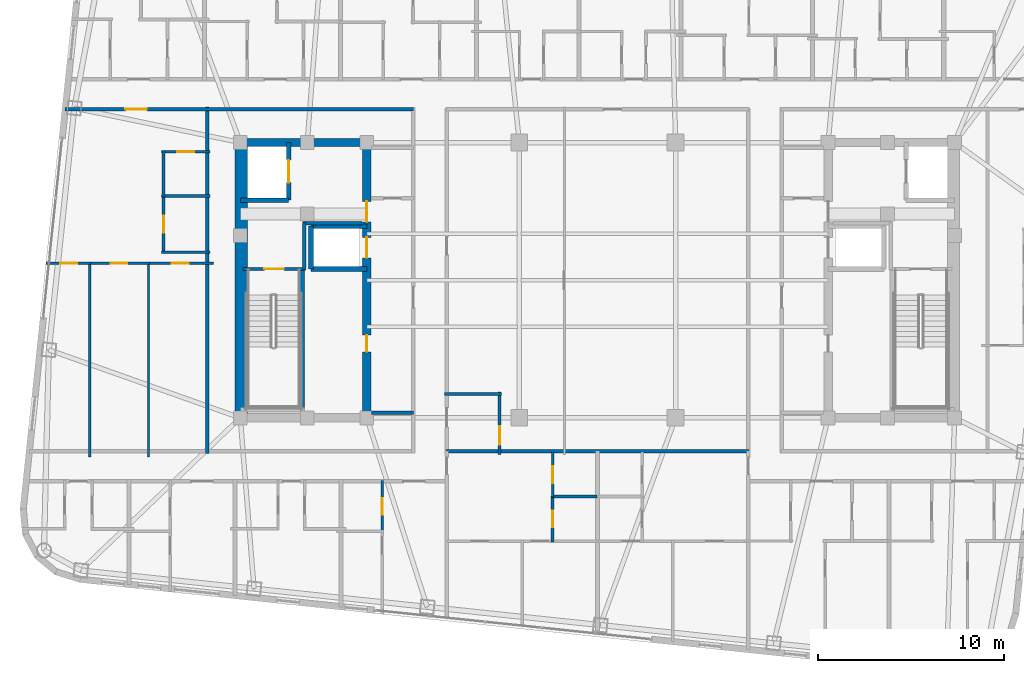
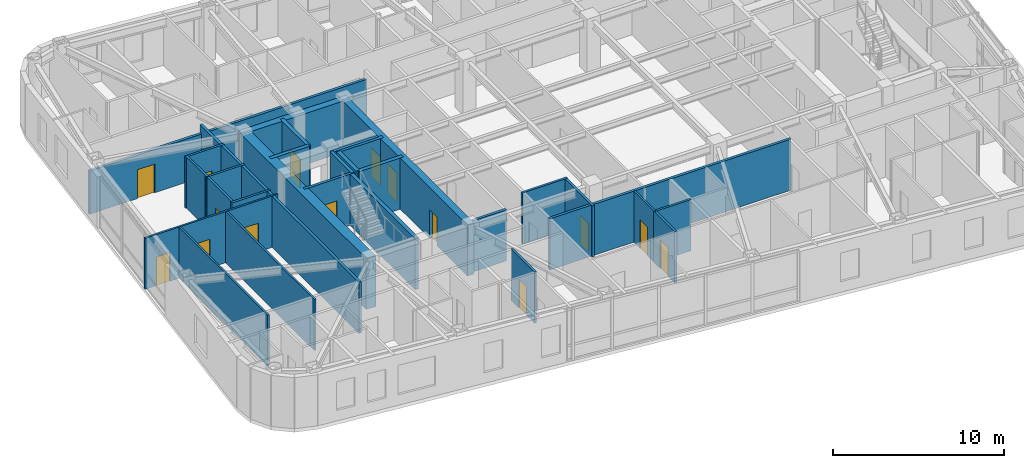
# One storey, part 16 of 23: 32 walls, 15 doors, 15 openings.
"""IFC4 building model written with IfcOpenShell, lengths in metres."""

import ifcopenshell
import ifcopenshell.guid

model = None  # the IFC model being written
_history = None  # IfcOwnerHistory: only IFC2X3 demands one
_inside = {}  # id of a spatial element -> (the spatial element, [elements in it])
_under = {}  # id of a project, library or spatial element -> (it, [spatial elements below it])
_declared = {}  # id of a project -> (the project, [libraries it declares])
_typed = {}  # id of a type object -> (the type object, [elements of that type])
_made_of = {}  # id of a material, layer set ... -> (it, [elements and type objects made of it])


def new_model(schema):
    """Start an empty IFC model of exactly this schema.

    Asked for "IFC4X3", IfcOpenShell would pick the latest addendum, in which some entities
    have other attributes; the version numbers below select the first issue.
    IFC2X3 requires an IfcOwnerHistory on every rooted entity: one is made here for all.
    """
    global model, _history
    if schema == "IFC4X3":
        model = ifcopenshell.file(schema_version=(4, 3, 0, 0))
    else:
        model = ifcopenshell.file(schema=schema)
    _inside.clear()
    _under.clear()
    _declared.clear()
    _typed.clear()
    _made_of.clear()
    _history = None
    if model.schema == "IFC2X3":
        org = make("IfcOrganization", Name="unknown")
        user = make(
            "IfcPersonAndOrganization",
            ThePerson=make("IfcPerson", FamilyName="unknown"),
            TheOrganization=org,
        )
        app = make(
            "IfcApplication",
            ApplicationDeveloper=org,
            Version="unknown",
            ApplicationFullName="unknown",
            ApplicationIdentifier="unknown",
        )
        _history = make(
            "IfcOwnerHistory",
            OwningUser=user,
            OwningApplication=app,
            ChangeAction="ADDED",
            CreationDate=0,
        )
    return model


def make(cls, **values):
    """One entity of the class cls with the attributes given. An attribute that is None is left unset."""
    return model.create_entity(
        cls, **{name: value for name, value in values.items() if value is not None}
    )


def rooted(cls, **values):
    """An entity with a GlobalId (a new one), such as an element, a storey or a relation."""
    return make(cls, GlobalId=ifcopenshell.guid.new(), OwnerHistory=_history, **values)


def si_unit(unit_type, name, prefix=None):
    """IfcSIUnit, for example si_unit("LENGTHUNIT", "METRE", prefix="MILLI")."""
    return make("IfcSIUnit", UnitType=unit_type, Prefix=prefix, Name=name)


def assignment(units):
    """IfcUnitAssignment: the units of a project."""
    return None if units is None else make("IfcUnitAssignment", Units=units)


def point(xyz):
    """IfcCartesianPoint."""
    return None if xyz is None else make("IfcCartesianPoint", Coordinates=xyz)


def direction(xyz):
    """IfcDirection."""
    return None if xyz is None else make("IfcDirection", DirectionRatios=xyz)


def frame(location, z_axis=None, x_axis=None):
    """IfcAxis2Placement3D, a coordinate frame: its origin and axes. An axis left out is left unset."""
    return make(
        "IfcAxis2Placement3D",
        Location=point(location),
        Axis=direction(z_axis),
        RefDirection=direction(x_axis),
    )


def frame_2d(location, x_axis=None):
    """IfcAxis2Placement2D, a coordinate frame in the plane: its origin and x axis."""
    return make(
        "IfcAxis2Placement2D", Location=point(location), RefDirection=direction(x_axis)
    )


def origin():
    """The frame at (0, 0, 0) with its axes left unset."""
    return frame((0.0, 0.0, 0.0))


def place(relative_to, where):
    """IfcLocalPlacement: puts the frame where relative to a parent placement (None: the world)."""
    return make(
        "IfcLocalPlacement", PlacementRelTo=relative_to, RelativePlacement=where
    )


def context(
    kind, dimensions, precision=None, world=None, true_north=None, identifier=None
):
    """IfcGeometricRepresentationContext, for example the 3D "Model" context."""
    return make(
        "IfcGeometricRepresentationContext",
        ContextIdentifier=identifier,
        ContextType=kind,
        CoordinateSpaceDimension=dimensions,
        Precision=precision,
        WorldCoordinateSystem=world,
        TrueNorth=true_north,
    )


def subcontext(parent, identifier, kind, view, scale=None):
    """IfcGeometricRepresentationSubContext, for example "Body" below "Model"."""
    return make(
        "IfcGeometricRepresentationSubContext",
        ContextIdentifier=identifier,
        ContextType=kind,
        ParentContext=parent,
        TargetScale=scale,
        TargetView=view,
    )


def project(units=None, contexts=None):
    """IfcProject with its units and contexts."""
    return rooted(
        "IfcProject",
        Name="project",
        RepresentationContexts=contexts,
        UnitsInContext=assignment(units),
    )


def spatial(cls, under=None, at=None, **own):
    """A site, building, storey or space (cls), placed at a placement, below another one or the project."""
    s = rooted(cls, ObjectPlacement=at, **own)
    if under is not None:
        _under.setdefault(under.id(), (under, []))[1].append(s)
    return s


def profile(cls, at=None, kind="AREA", **sizes):
    """A parametric profile (cls). Its sizes go by their IFC names, for example OverallWidth=200.0."""
    return make(cls, ProfileType=kind, Position=at, **sizes)


def rectangle(**sizes):
    """IfcRectangleProfileDef."""
    return profile("IfcRectangleProfileDef", **sizes)


def extrude(swept, where, along, depth):
    """IfcExtrudedAreaSolid: the profile swept, set in the frame where, extruded along a direction by depth."""
    return make(
        "IfcExtrudedAreaSolid",
        SweptArea=swept,
        Position=where,
        ExtrudedDirection=direction(along),
        Depth=depth,
    )


def shape(context_of_items, identifier, shape_type, items):
    """IfcShapeRepresentation: the items that make up one representation, for example the "Body"."""
    return make(
        "IfcShapeRepresentation",
        ContextOfItems=context_of_items,
        RepresentationIdentifier=identifier,
        RepresentationType=shape_type,
        Items=items,
    )


def material(Name=None, Category=None):
    """IfcMaterial."""
    return make("IfcMaterial", Name=Name, Category=Category)


def layer(
    of_material, thickness, ventilated=None, Name=None, Category=None, Priority=None
):
    """IfcMaterialLayer: one layer of a wall or slab, of a material (None: an air gap)."""
    return make(
        "IfcMaterialLayer",
        Material=of_material,
        LayerThickness=thickness,
        IsVentilated=ventilated,
        Name=Name,
        Category=Category,
        Priority=Priority,
    )


def layer_set(layers, Name=None):
    """IfcMaterialLayerSet."""
    return make("IfcMaterialLayerSet", MaterialLayers=layers, LayerSetName=Name)


def made_of(thing, what):
    """Note that an element or type object is made of a material, layer set ...; save() writes the relation."""
    if what is not None:
        _made_of.setdefault(what.id(), (what, []))[1].append(thing)
    return thing


def type_object(cls, material=None, **own):
    """A type object (cls), such as IfcWallType, which elements share."""
    return made_of(rooted(cls, **own), material)


def element(
    cls,
    number,
    at=None,
    inside=None,
    cuts=None,
    type_object=None,
    material=None,
    context=None,
    identifier="Body",
    shape_type=None,
    held_by="IfcProductDefinitionShape",
    body=None,
    shapes=None,
    **own,
):
    """One element of the class cls, such as IfcWall. Its Tag is "e" and its number.

    at: its placement. inside: the storey or other place that contains it. cuts: it is an
    opening in that element (IfcRelVoidsElement). A single representation is given by context,
    identifier, shape_type and body (its items); several are given by shapes. held_by: the class
    of the entity that holds the representations. save() writes the other relations.
    """
    e = rooted(cls, Tag="e%d" % number, ObjectPlacement=at, **own)
    if body is not None:
        shapes = [shape(context, identifier, shape_type, body)]
    if shapes is not None:
        e.Representation = make(held_by, Representations=shapes)
    if inside is not None:
        _inside.setdefault(inside.id(), (inside, []))[1].append(e)
    if cuts is not None:
        rooted(
            "IfcRelVoidsElement", RelatingBuildingElement=cuts, RelatedOpeningElement=e
        )
    if type_object is not None:
        _typed.setdefault(type_object.id(), (type_object, []))[1].append(e)
    return made_of(e, material)


def fill(opening, filler):
    """IfcRelFillsElement: the door or window that sits in an opening."""
    return rooted(
        "IfcRelFillsElement",
        RelatingOpeningElement=opening,
        RelatedBuildingElement=filler,
    )


def aggregate(whole, parts):
    """IfcRelAggregates: a whole, such as a stair, and the parts it consists of."""
    return rooted("IfcRelAggregates", RelatingObject=whole, RelatedObjects=parts)


def save(model, path):
    """Write the relations noted so far, then the file.

    IfcRelAggregates (storeys below a building ...), IfcRelContainedInSpatialStructure (elements
    in a storey), IfcRelDefinesByType, IfcRelAssociatesMaterial and IfcRelDeclares: one each for
    every whole, place, type object, material and project.
    """
    for whole, parts in _under.values():
        aggregate(whole, parts)
    for where, things in _inside.values():
        rooted(
            "IfcRelContainedInSpatialStructure",
            RelatedElements=things,
            RelatingStructure=where,
        )
    for kind, things in _typed.values():
        rooted("IfcRelDefinesByType", RelatedObjects=things, RelatingType=kind)
    for what, things in _made_of.values():
        rooted("IfcRelAssociatesMaterial", RelatedObjects=things, RelatingMaterial=what)
    for by, libraries in _declared.values():
        rooted("IfcRelDeclares", RelatingContext=by, RelatedDefinitions=libraries)
    model.write(path)


model = new_model("IFC4")

# Units and contexts
model_context = context("Model", 3, precision=1e-05, world=origin(), true_north=direction((0.0, 1.0)))
body_context = subcontext(model_context, "Body", "Model", "MODEL_VIEW")
ifc_project = project(units=[si_unit("LENGTHUNIT", "METRE"), si_unit("AREAUNIT", "SQUARE_METRE"), si_unit("VOLUMEUNIT", "CUBIC_METRE"), si_unit("PLANEANGLEUNIT", "RADIAN"), si_unit("MASSUNIT", "GRAM", prefix="KILO")], contexts=[model_context])

# Site, building, storey
site_placement = place(None, origin())
site = spatial("IfcSite", under=ifc_project, at=site_placement, CompositionType="ELEMENT")
building_placement = place(site_placement, origin())
building = spatial("IfcBuilding", under=site, at=building_placement, Name="Voryun Gate Residences", CompositionType="ELEMENT")
storey_placement = place(building_placement, frame((0.0, 0.0, 275.60009765625)))
storey = spatial("IfcBuildingStorey", under=building, at=storey_placement, Name="L68", CompositionType="ELEMENT", Elevation=275.60009765625)

# Wall
ifc_material_1 = material(Name="Concrete C50/60", Category="concrete")
ifc_layer_1 = layer(ifc_material_1, 0.449951171875, Name="CW_CORE_450")
ifc_layer_set_1 = layer_set([ifc_layer_1], Name="Concrete C50/60")
wall_type_1 = type_object("IfcWallType", Name="CW_CORE_450", PredefinedType="SHEAR", material=ifc_layer_set_1)
wall_1_placement = place(storey_placement, frame((-19.425048828125, 7.39990234375, 0.0), z_axis=(0.0, 0.0, 1.0), x_axis=(1.0, 0.0, 0.0)))
element("IfcWall", 1, at=wall_1_placement, inside=storey, type_object=wall_type_1, Name="L68 Core shear wall CW-L68-WN", PredefinedType="SHEAR", context=body_context, shape_type="SweptSolid", body=[
    extrude(rectangle(XDim=7.25, YDim=0.449951171875, at=frame_2d((3.625, 0.0))), origin(), (0.0, 0.0, 1.0), 3.64990234375),
])

# Wall, openings, doors
wall_2_placement = place(storey_placement, frame((-12.39990234375, -7.39990234375, 0.0), z_axis=(0.0, 0.0, 1.0), x_axis=(0.0, 1.0, 0.0)))
wall_2 = element("IfcWall", 2, at=wall_2_placement, inside=storey, type_object=wall_type_1, Name="L68 Core shear wall CW-L68-WE", PredefinedType="SHEAR", context=body_context, shape_type="SweptSolid", body=[
    extrude(rectangle(XDim=14.7998046875, YDim=0.449951171875, at=frame_2d((7.39990234375, 0.0))), origin(), (0.0, 0.0, 1.0), 3.64990234375),
])
opening_1_placement = place(wall_2_placement, frame((8.60009765625, 0.0, 0.0)))
opening_1 = element("IfcOpeningElement", 3, at=opening_1_placement, cuts=wall_2, Name="Opening LD2", PredefinedType="OPENING", context=body_context, shape_type="SweptSolid", body=[
    extrude(rectangle(XDim=1.10009765625, YDim=2.050048828125, at=frame_2d((0.550048828125, 1.02490234375))), frame((0.0, 0.235107421875, 0.0), z_axis=(0.0, -1.0, 0.0), x_axis=(1.0, 0.0, 0.0)), (0.0, 0.0, 1.0), 0.469970703125),
])
opening_2_placement = place(wall_2_placement, frame((10.530029296875, 0.0, 0.0)))
opening_2 = element("IfcOpeningElement", 4, at=opening_2_placement, cuts=wall_2, Name="Opening D-FD60-2", PredefinedType="OPENING", context=body_context, shape_type="SweptSolid", body=[
    extrude(rectangle(XDim=1.10009765625, YDim=2.050048828125, at=frame_2d((0.550048828125, 1.02490234375))), frame((0.0, 0.235107421875, 0.0), z_axis=(0.0, -1.0, 0.0), x_axis=(1.0, 0.0, 0.0)), (0.0, 0.0, 1.0), 0.469970703125),
])
opening_3_placement = place(wall_2_placement, frame((3.550048828125, 0.0, 0.0)))
opening_3 = element("IfcOpeningElement", 5, at=opening_3_placement, cuts=wall_2, Name="Opening D-FD60-4", PredefinedType="OPENING", context=body_context, shape_type="SweptSolid", body=[
    extrude(rectangle(XDim=0.89990234375, YDim=2.050048828125, at=frame_2d((0.449951171875, 1.02490234375))), frame((0.0, 0.235107421875, 0.0), z_axis=(0.0, -1.0, 0.0), x_axis=(1.0, 0.0, 0.0)), (0.0, 0.0, 1.0), 0.469970703125),
])
ifc_material_2 = material(Name="Painted steel fire door", Category="steel")
door_type_1 = type_object("IfcDoorType", Name="DR_FD60_FFLOB_1100", OperationType="NOTDEFINED", PredefinedType="DOOR", material=ifc_material_2)
door_1_placement = place(opening_2_placement, origin())
door_1 = element("IfcDoor", 6, at=door_1_placement, inside=storey, type_object=door_type_1, Name="Door DR-L68-CLOB-W", OperationType="SINGLE_SWING_LEFT", OverallHeight=2.050048828125, OverallWidth=1.10009765625, PredefinedType="DOOR", context=body_context, shape_type="SweptSolid", body=[
    extrude(rectangle(XDim=1.10009765625, YDim=2.050048828125, at=frame_2d((0.550048828125, 1.02490234375))), frame((0.0, 0.02490234375, 0.0), z_axis=(0.0, -1.0, 0.0), x_axis=(1.0, 0.0, 0.0)), (0.0, 0.0, 1.0), 0.050048828125),
])
fill(opening_2, door_1)
ifc_material_3 = material(Name="Painted steel fire door", Category="steel")
door_type_2 = type_object("IfcDoorType", Name="DR_FD60_RISER_900", OperationType="NOTDEFINED", PredefinedType="DOOR", material=ifc_material_3)
door_2_placement = place(opening_3_placement, origin())
door_2 = element("IfcDoor", 7, at=door_2_placement, inside=storey, type_object=door_type_2, Name="Door DR-L68-RECW-HI", OperationType="SINGLE_SWING_LEFT", OverallHeight=2.050048828125, OverallWidth=0.89990234375, PredefinedType="DOOR", context=body_context, shape_type="SweptSolid", body=[
    extrude(rectangle(XDim=0.89990234375, YDim=2.050048828125, at=frame_2d((0.449951171875, 1.02490234375))), frame((0.0, 0.02490234375, 0.0), z_axis=(0.0, -1.0, 0.0), x_axis=(1.0, 0.0, 0.0)), (0.0, 0.0, 1.0), 0.050048828125),
])
fill(opening_3, door_2)
ifc_material_4 = material(Name="Anodised aluminium", Category="aluminium")
door_type_3 = type_object("IfcDoorType", Name="DR_LD_PASS_1100", OperationType="NOTDEFINED", PredefinedType="DOOR", material=ifc_material_4)
door_3_placement = place(opening_1_placement, origin())
door_3 = element("IfcDoor", 8, at=door_3_placement, inside=storey, type_object=door_type_3, Name="Lift EL-P7 sliding landing door L68", OperationType="SLIDING_TO_LEFT", OverallHeight=2.050048828125, OverallWidth=1.10009765625, PredefinedType="DOOR", context=body_context, shape_type="SweptSolid", body=[
    extrude(rectangle(XDim=1.10009765625, YDim=2.050048828125, at=frame_2d((0.550048828125, 1.02490234375))), frame((0.0, 0.02490234375, 0.0), z_axis=(0.0, -1.0, 0.0), x_axis=(1.0, 0.0, 0.0)), (0.0, 0.0, 1.0), 0.050048828125),
])
fill(opening_1, door_3)

# Wall
ifc_material_5 = material(Name="Concrete C60/75", Category="concrete")
ifc_layer_2 = layer(ifc_material_5, 0.64990234375, Name="CW_CORE_650")
ifc_layer_set_2 = layer_set([ifc_layer_2], Name="Concrete C60/75")
wall_type_2 = type_object("IfcWallType", Name="CW_CORE_650", PredefinedType="SHEAR", material=ifc_layer_set_2)
wall_3_placement = place(storey_placement, frame((-19.14501953125, -7.39990234375, 0.0), z_axis=(0.0, 0.0, 1.0), x_axis=(0.0, 1.0, 0.0)))
element("IfcWall", 9, at=wall_3_placement, inside=storey, type_object=wall_type_2, Name="L68 Core shear wall CW-L68-WW", PredefinedType="SHEAR", context=body_context, shape_type="SweptSolid", body=[
    extrude(rectangle(XDim=14.7998046875, YDim=0.64990234375, at=frame_2d((7.39990234375, 0.0))), origin(), (0.0, 0.0, 1.0), 3.64990234375),
])

# Wall, opening, door
ifc_material_6 = material(Name="Gypsum acoustic fireboard")
ifc_layer_3 = layer(ifc_material_6, 0.179931640625, Name="W_CORR_RATED_180")
ifc_layer_set_3 = layer_set([ifc_layer_3], Name="Gypsum acoustic fireboard")
wall_type_3 = type_object("IfcWallType", Name="W_CORR_RATED_180", PredefinedType="PARTITIONING", material=ifc_layer_set_3)
wall_4_placement = place(storey_placement, frame((-19.06005859375, 0.60009765625, 0.0), z_axis=(0.0, 0.0, 1.0), x_axis=(1.0, 0.0, 0.0)))
wall_4 = element("IfcWall", 10, at=wall_4_placement, inside=storey, type_object=wall_type_3, Name="Partition wall WP-L68-STV-W", PredefinedType="PARTITIONING", context=body_context, shape_type="SweptSolid", body=[
    extrude(rectangle(XDim=3.360107421875, YDim=0.179931640625, at=frame_2d((1.68017578125, 0.0))), origin(), (0.0, 0.0, 1.0), 3.64990234375),
])
opening_4_placement = place(wall_4_placement, frame((1.155029296875, 0.0, 0.0)))
opening_4 = element("IfcOpeningElement", 11, at=opening_4_placement, cuts=wall_4, Name="Opening D-FD60-1", PredefinedType="OPENING", context=body_context, shape_type="SweptSolid", body=[
    extrude(rectangle(XDim=1.050048828125, YDim=2.050048828125, at=frame_2d((0.52490234375, 1.02490234375))), frame((0.0, 0.099853515625, 0.0), z_axis=(0.0, -1.0, 0.0), x_axis=(1.0, 0.0, 0.0)), (0.0, 0.0, 1.0), 0.199951171875),
])
ifc_material_7 = material(Name="Painted steel fire door", Category="steel")
door_type_4 = type_object("IfcDoorType", Name="DR_FD60_STAIR_1050", OperationType="NOTDEFINED", PredefinedType="DOOR", material=ifc_material_7)
door_4_placement = place(opening_4_placement, origin())
door_4 = element("IfcDoor", 12, at=door_4_placement, inside=storey, type_object=door_type_4, Name="Door DR-L68-ST-W", OperationType="SINGLE_SWING_LEFT", OverallHeight=2.050048828125, OverallWidth=1.050048828125, PredefinedType="DOOR", context=body_context, shape_type="SweptSolid", body=[
    extrude(rectangle(XDim=1.050048828125, YDim=2.050048828125, at=frame_2d((0.52490234375, 1.02490234375))), frame((0.0, 0.02490234375, 0.0), z_axis=(0.0, -1.0, 0.0), x_axis=(1.0, 0.0, 0.0)), (0.0, 0.0, 1.0), 0.050048828125),
])
fill(opening_4, door_4)

# Wall
wall_5_placement = place(storey_placement, frame((-12.14990234375, -7.1201171875, 0.0), z_axis=(0.0, 0.0, 1.0), x_axis=(1.0, 0.0, 0.0)))
element("IfcWall", 13, at=wall_5_placement, inside=storey, type_object=wall_type_3, Name="Partition wall WP-L68-PLBS-W", PredefinedType="PARTITIONING", context=body_context, shape_type="SweptSolid", body=[
    extrude(rectangle(XDim=2.27001953125, YDim=0.179931640625, at=frame_2d((1.135009765625, 0.0))), origin(), (0.0, 0.0, 1.0), 3.64990234375),
])

# Wall, opening, door
wall_6_placement = place(storey_placement, frame((-28.61181640625, 9.18994140625, 0.0), z_axis=(0.0, 0.0, 1.0), x_axis=(1.0, 0.0, 0.0)))
wall_6 = element("IfcWall", 14, at=wall_6_placement, inside=storey, type_object=wall_type_3, Name="Partition wall WP-L68-CWING-WN", PredefinedType="PARTITIONING", context=body_context, shape_type="SweptSolid", body=[
    extrude(rectangle(XDim=18.73193359375, YDim=0.179931640625, at=frame_2d((9.365966796875, 0.0))), origin(), (0.0, 0.0, 1.0), 3.08984375),
])
opening_5_placement = place(wall_6_placement, frame((3.24072265625, 0.0, 0.0)))
opening_5 = element("IfcOpeningElement", 15, at=opening_5_placement, cuts=wall_6, Name="Opening D-UNIT-1", PredefinedType="OPENING", context=body_context, shape_type="SweptSolid", body=[
    extrude(rectangle(XDim=1.14990234375, YDim=2.050048828125, at=frame_2d((0.574951171875, 1.02490234375))), frame((0.0, 0.099853515625, 0.0), z_axis=(0.0, -1.0, 0.0), x_axis=(1.0, 0.0, 0.0)), (0.0, 0.0, 1.0), 0.199951171875),
])
ifc_material_8 = material(Name="Armoured timber-clad fire door", Category="wood")
door_type_5 = type_object("IfcDoorType", Name="DR_UNIT_ENTRY_1150", OperationType="NOTDEFINED", PredefinedType="DOOR", material=ifc_material_8)
door_5_placement = place(opening_5_placement, origin())
door_5 = element("IfcDoor", 16, at=door_5_placement, inside=storey, type_object=door_type_5, Name="Door DR-L68-WE1N", OperationType="SINGLE_SWING_LEFT", OverallHeight=2.050048828125, OverallWidth=1.14990234375, PredefinedType="DOOR", context=body_context, shape_type="SweptSolid", body=[
    extrude(rectangle(XDim=1.14990234375, YDim=2.050048828125, at=frame_2d((0.574951171875, 1.02490234375))), frame((0.0, 0.02490234375, 0.0), z_axis=(0.0, -1.0, 0.0), x_axis=(1.0, 0.0, 0.0)), (0.0, 0.0, 1.0), 0.050048828125),
])
fill(opening_5, door_5)

# Walls
wall_7_placement = place(storey_placement, frame((-8.14990234375, -9.18994140625, 0.0), z_axis=(0.0, 0.0, 1.0), x_axis=(1.0, 0.0, 0.0)))
element("IfcWall", 17, at=wall_7_placement, inside=storey, type_object=wall_type_3, Name="Partition wall WP-L68-Z3S", PredefinedType="PARTITIONING", context=body_context, shape_type="SweptSolid", body=[
    extrude(rectangle(XDim=16.2998046875, YDim=0.179931640625, at=frame_2d((8.14990234375, 0.0))), origin(), (0.0, 0.0, 1.0), 3.64990234375),
])
wall_8_placement = place(storey_placement, frame((-20.969970703125, -9.31005859375, 0.0), z_axis=(0.0, 0.0, 1.0), x_axis=(0.0, 1.0, 0.0)))
element("IfcWall", 18, at=wall_8_placement, inside=storey, type_object=wall_type_3, Name="Partition wall WP-L68-WCOR", PredefinedType="PARTITIONING", context=body_context, shape_type="SweptSolid", body=[
    extrude(rectangle(XDim=18.6201171875, YDim=0.179931640625, at=frame_2d((9.31005859375, 0.0))), origin(), (0.0, 0.0, 1.0), 3.64990234375),
])
ifc_material_9 = material(Name="Concrete C40/50", Category="concrete")
ifc_layer_4 = layer(ifc_material_9, 0.199951171875, Name="W_FF_LOBBY_200")
ifc_layer_set_4 = layer_set([ifc_layer_4], Name="Concrete C40/50")
wall_type_4 = type_object("IfcWallType", Name="W_FF_LOBBY_200", PredefinedType="PARTITIONING", material=ifc_layer_set_4)
wall_9_placement = place(storey_placement, frame((-15.760009765625, 0.580078125, 0.0), z_axis=(0.0, 0.0, 1.0), x_axis=(0.0, 1.0, 0.0)))
element("IfcWall", 19, at=wall_9_placement, inside=storey, type_object=wall_type_4, Name="Partition wall WP-L68-FFP0-W", PredefinedType="PARTITIONING", context=body_context, shape_type="SweptSolid", body=[
    extrude(rectangle(XDim=2.52001953125, YDim=0.199951171875, at=frame_2d((1.260009765625, 0.0))), origin(), (0.0, 0.0, 1.0), 3.64990234375),
])
wall_10_placement = place(storey_placement, frame((-15.820068359375, 3.06005859375, 0.0), z_axis=(0.0, 0.0, 1.0), x_axis=(1.0, 0.0, 0.0)))
element("IfcWall", 20, at=wall_10_placement, inside=storey, type_object=wall_type_4, Name="Partition wall WP-L68-FFPS-W", PredefinedType="PARTITIONING", context=body_context, shape_type="SweptSolid", body=[
    extrude(rectangle(XDim=3.16015625, YDim=0.199951171875, at=frame_2d((1.580078125, 0.0))), origin(), (0.0, 0.0, 1.0), 3.64990234375),
])
ifc_material_10 = material(Name="Concrete C50/60", Category="concrete")
ifc_layer_5 = layer(ifc_material_10, 0.25, Name="W_SHAFT_RC250")
ifc_layer_set_5 = layer_set([ifc_layer_5], Name="Concrete C50/60")
wall_type_5 = type_object("IfcWallType", Name="W_SHAFT_RC250", PredefinedType="SOLIDWALL", material=ifc_layer_set_5)
wall_11_placement = place(storey_placement, frame((-15.860107421875, -7.0849609375, 0.0), z_axis=(0.0, 0.0, 1.0), x_axis=(0.0, 1.0, 0.0)))
element("IfcWall", 21, at=wall_11_placement, inside=storey, type_object=wall_type_5, Name="L68 Stair shaft structural wall W-STR", PredefinedType="SOLIDWALL", context=body_context, shape_type="SweptSolid", body=[
    extrude(rectangle(XDim=7.68505859375, YDim=0.25, at=frame_2d((3.842529296875, 0.0))), origin(), (0.0, 0.0, 1.0), 3.64990234375),
])
wall_12_placement = place(storey_placement, frame((-19.199951171875, 4.300048828125, 0.0), z_axis=(0.0, 0.0, 1.0), x_axis=(1.0, 0.0, 0.0)))
element("IfcWall", 22, at=wall_12_placement, inside=storey, type_object=wall_type_5, Name="Lift shaft wall WSH-L68-EL-FF-W1-S", PredefinedType="SOLIDWALL", context=body_context, shape_type="SweptSolid", body=[
    extrude(rectangle(XDim=2.599853515625, YDim=0.25, at=frame_2d((1.2998046875, 0.0))), origin(), (0.0, 0.0, 1.0), 3.64990234375),
])

# Wall, opening, door
wall_13_placement = place(storey_placement, frame((-16.60009765625, 4.300048828125, 0.0), z_axis=(0.0, 0.0, 1.0), x_axis=(0.0, 1.0, 0.0)))
wall_13 = element("IfcWall", 23, at=wall_13_placement, inside=storey, type_object=wall_type_5, Name="Lift shaft wall WSH-L68-EL-FF-W1-E", PredefinedType="SOLIDWALL", context=body_context, shape_type="SweptSolid", body=[
    extrude(rectangle(XDim=3.099853515625, YDim=0.25, at=frame_2d((1.5498046875, 0.0))), origin(), (0.0, 0.0, 1.0), 3.64990234375),
])
opening_6_placement = place(wall_13_placement, frame((0.949951171875, 0.0, 0.0)))
opening_6 = element("IfcOpeningElement", 24, at=opening_6_placement, cuts=wall_13, Name="Opening LD1", PredefinedType="OPENING", context=body_context, shape_type="SweptSolid", body=[
    extrude(rectangle(XDim=1.199951171875, YDim=2.050048828125, at=frame_2d((0.60009765625, 1.02490234375))), frame((0.0, 0.135009765625, 0.0), z_axis=(0.0, -1.0, 0.0), x_axis=(1.0, 0.0, 0.0)), (0.0, 0.0, 1.0), 0.27001953125),
])
ifc_material_11 = material(Name="Anodised aluminium", Category="aluminium")
door_type_6 = type_object("IfcDoorType", Name="DR_LD_FF_1200", OperationType="NOTDEFINED", PredefinedType="DOOR", material=ifc_material_11)
door_6_placement = place(opening_6_placement, origin())
door_6 = element("IfcDoor", 25, at=door_6_placement, inside=storey, type_object=door_type_6, Name="Lift EL-FF-W1 sliding landing door L68", OperationType="SLIDING_TO_LEFT", OverallHeight=2.050048828125, OverallWidth=1.199951171875, PredefinedType="DOOR", context=body_context, shape_type="SweptSolid", body=[
    extrude(rectangle(XDim=1.199951171875, YDim=2.050048828125, at=frame_2d((0.60009765625, 1.02490234375))), frame((0.0, 0.02490234375, 0.0), z_axis=(0.0, -1.0, 0.0), x_axis=(1.0, 0.0, 0.0)), (0.0, 0.0, 1.0), 0.050048828125),
])
fill(opening_6, door_6)

# Walls
for number, where, z_axis, x_axis, name in (
    (26, (-15.39990234375, 0.60009765625, 0.0), (0.0, 0.0, 1.0), (1.0, 0.0, 0.0), "Lift shaft wall WSH-L68-EL-P7-S"),
    (27, (-12.39990234375, 2.89990234375, 0.0), (0.0, 0.0, 1.0), (-1.0, 0.0, 0.0), "Lift shaft wall WSH-L68-EL-P7-N"),
):
    element("IfcWall", number, at=place(storey_placement, frame(where, z_axis=z_axis, x_axis=x_axis)), inside=storey, type_object=wall_type_5, Name=name, PredefinedType="SOLIDWALL", context=body_context, shape_type="SweptSolid", body=[
        extrude(rectangle(XDim=3.0, YDim=0.25, at=frame_2d((1.5, 0.0))), origin(), (0.0, 0.0, 1.0), 3.64990234375),
    ])
wall_14_placement = place(storey_placement, frame((-15.39990234375, 2.89990234375, 0.0), z_axis=(0.0, 0.0, 1.0), x_axis=(0.0, -1.0, 0.0)))
element("IfcWall", 28, at=wall_14_placement, inside=storey, type_object=wall_type_5, Name="Lift shaft wall WSH-L68-EL-P7-W", PredefinedType="SOLIDWALL", context=body_context, shape_type="SweptSolid", body=[
    extrude(rectangle(XDim=2.2998046875, YDim=0.25, at=frame_2d((1.14990234375, 0.0))), origin(), (0.0, 0.0, 1.0), 3.64990234375),
])

# Wall, opening, door
ifc_material_12 = material(Name="Gypsum acoustic partition")
ifc_layer_6 = layer(ifc_material_12, 0.125, Name="W_UNIT_PART_125")
ifc_layer_set_6 = layer_set([ifc_layer_6], Name="Gypsum acoustic partition")
wall_type_6 = type_object("IfcWallType", Name="W_UNIT_PART_125", PredefinedType="PARTITIONING", material=ifc_layer_set_6)
wall_15_placement = place(storey_placement, frame((-2.409912109375, -11.659912109375, 0.0), z_axis=(0.0, 0.0, 1.0), x_axis=(0.0, 1.0, 0.0)))
wall_15 = element("IfcWall", 29, at=wall_15_placement, inside=storey, type_object=wall_type_6, Name="Partition wall WP-L68-SC1-VK1", PredefinedType="PARTITIONING", context=body_context, shape_type="SweptSolid", body=[
    extrude(rectangle(XDim=2.409912109375, YDim=0.125, at=frame_2d((1.205078125, 0.0))), origin(), (0.0, 0.0, 1.0), 3.64990234375),
])
opening_7_placement = place(wall_15_placement, frame((0.7548828125, 0.0, 0.0)))
opening_7 = element("IfcOpeningElement", 30, at=opening_7_placement, cuts=wall_15, Name="Opening D-INT-2", PredefinedType="OPENING", context=body_context, shape_type="SweptSolid", body=[
    extrude(rectangle(XDim=0.89990234375, YDim=2.050048828125, at=frame_2d((0.449951171875, 1.02490234375))), frame((0.0, 0.072509765625, 0.0), z_axis=(0.0, -1.0, 0.0), x_axis=(1.0, 0.0, 0.0)), (0.0, 0.0, 1.0), 0.14501953125),
])
ifc_material_13 = material(Name="Architectural oak veneer")
door_type_7 = type_object("IfcDoorType", Name="DR_INT_BATH_900", OperationType="NOTDEFINED", PredefinedType="DOOR", material=ifc_material_13)
door_7_placement = place(opening_7_placement, origin())
door_7 = element("IfcDoor", 31, at=door_7_placement, inside=storey, type_object=door_type_7, Name="Door DR-L68-SC1-DK", OperationType="SINGLE_SWING_LEFT", OverallHeight=2.050048828125, OverallWidth=0.89990234375, PredefinedType="DOOR", context=body_context, shape_type="SweptSolid", body=[
    extrude(rectangle(XDim=0.89990234375, YDim=2.050048828125, at=frame_2d((0.449951171875, 1.02490234375))), frame((0.0, 0.02490234375, 0.0), z_axis=(0.0, -1.0, 0.0), x_axis=(1.0, 0.0, 0.0)), (0.0, 0.0, 1.0), 0.050048828125),
])
fill(opening_7, door_7)

wall_16_placement = place(storey_placement, frame((-29.633056640625, 0.909912109375, 0.0), z_axis=(0.0, 0.0, 1.0), x_axis=(1.0, 0.0, 0.0)))
wall_16 = element("IfcWall", 32, at=wall_16_placement, inside=storey, type_object=wall_type_6, Name="Partition wall WP-L68-W1-HZMB1", PredefinedType="PARTITIONING", context=body_context, shape_type="SweptSolid", body=[
    extrude(rectangle(XDim=2.402587890625, YDim=0.125, at=frame_2d((1.201171875, 0.0))), origin(), (0.0, 0.0, 1.0), 3.64990234375),
])
opening_8_placement = place(wall_16_placement, frame((0.760009765625, 0.0, 0.0)))
opening_8 = element("IfcOpeningElement", 33, at=opening_8_placement, cuts=wall_16, Name="Opening D-INT-2", PredefinedType="OPENING", context=body_context, shape_type="SweptSolid", body=[
    extrude(rectangle(XDim=0.89990234375, YDim=2.050048828125, at=frame_2d((0.449951171875, 1.02490234375))), frame((0.0, 0.072509765625, 0.0), z_axis=(0.0, -1.0, 0.0), x_axis=(1.0, 0.0, 0.0)), (0.0, 0.0, 1.0), 0.14501953125),
])
door_8_placement = place(opening_8_placement, origin())
door_8 = element("IfcDoor", 34, at=door_8_placement, inside=storey, type_object=door_type_7, Name="Door DR-L68-W1-DMB", OperationType="SINGLE_SWING_LEFT", OverallHeight=2.050048828125, OverallWidth=0.89990234375, PredefinedType="DOOR", context=body_context, shape_type="SweptSolid", body=[
    extrude(rectangle(XDim=0.89990234375, YDim=2.050048828125, at=frame_2d((0.449951171875, 1.02490234375))), frame((0.0, 0.02490234375, 0.0), z_axis=(0.0, -1.0, 0.0), x_axis=(1.0, 0.0, 0.0)), (0.0, 0.0, 1.0), 0.050048828125),
])
fill(opening_8, door_8)

wall_17_placement = place(storey_placement, frame((-27.35546875, 0.909912109375, 0.0), z_axis=(0.0, 0.0, 1.0), x_axis=(1.0, 0.0, 0.0)))
wall_17 = element("IfcWall", 35, at=wall_17_placement, inside=storey, type_object=wall_type_6, Name="Partition wall WP-L68-W1-HZMB2", PredefinedType="PARTITIONING", context=body_context, shape_type="SweptSolid", body=[
    extrude(rectangle(XDim=3.285888671875, YDim=0.125, at=frame_2d((1.64306640625, 0.0))), origin(), (0.0, 0.0, 1.0), 3.64990234375),
])
opening_9_placement = place(wall_17_placement, frame((1.193115234375, 0.0, 0.0)))
opening_9 = element("IfcOpeningElement", 36, at=opening_9_placement, cuts=wall_17, Name="Opening D-INT-2", PredefinedType="OPENING", context=body_context, shape_type="SweptSolid", body=[
    extrude(rectangle(XDim=0.89990234375, YDim=2.050048828125, at=frame_2d((0.449951171875, 1.02490234375))), frame((0.0, 0.072509765625, 0.0), z_axis=(0.0, -1.0, 0.0), x_axis=(1.0, 0.0, 0.0)), (0.0, 0.0, 1.0), 0.14501953125),
])
door_9_placement = place(opening_9_placement, origin())
door_9 = element("IfcDoor", 37, at=door_9_placement, inside=storey, type_object=door_type_7, Name="Door DR-L68-W1-DBD2", OperationType="SINGLE_SWING_RIGHT", OverallHeight=2.050048828125, OverallWidth=0.89990234375, PredefinedType="DOOR", context=body_context, shape_type="SweptSolid", body=[
    extrude(rectangle(XDim=0.89990234375, YDim=2.050048828125, at=frame_2d((0.449951171875, 1.02490234375))), frame((0.0, 0.02490234375, 0.0), z_axis=(0.0, -1.0, 0.0), x_axis=(1.0, 0.0, 0.0)), (0.0, 0.0, 1.0), 0.050048828125),
])
fill(opening_9, door_9)

wall_18_placement = place(storey_placement, frame((-24.194580078125, 0.909912109375, 0.0), z_axis=(0.0, 0.0, 1.0), x_axis=(1.0, 0.0, 0.0)))
wall_18 = element("IfcWall", 38, at=wall_18_placement, inside=storey, type_object=wall_type_6, Name="Partition wall WP-L68-W1-HZMB3", PredefinedType="PARTITIONING", context=body_context, shape_type="SweptSolid", body=[
    extrude(rectangle(XDim=3.544677734375, YDim=0.125, at=frame_2d((1.7724609375, 0.0))), origin(), (0.0, 0.0, 1.0), 3.64990234375),
])
opening_10_placement = place(wall_18_placement, frame((1.3134765625, 0.0, 0.0)))
opening_10 = element("IfcOpeningElement", 39, at=opening_10_placement, cuts=wall_18, Name="Opening D-INT-2", PredefinedType="OPENING", context=body_context, shape_type="SweptSolid", body=[
    extrude(rectangle(XDim=0.89990234375, YDim=2.050048828125, at=frame_2d((0.449951171875, 1.02490234375))), frame((0.0, 0.072509765625, 0.0), z_axis=(0.0, -1.0, 0.0), x_axis=(1.0, 0.0, 0.0)), (0.0, 0.0, 1.0), 0.14501953125),
])
door_10_placement = place(opening_10_placement, origin())
door_10 = element("IfcDoor", 40, at=door_10_placement, inside=storey, type_object=door_type_7, Name="Door DR-L68-W1-DBD3", OperationType="SINGLE_SWING_LEFT", OverallHeight=2.050048828125, OverallWidth=0.89990234375, PredefinedType="DOOR", context=body_context, shape_type="SweptSolid", body=[
    extrude(rectangle(XDim=0.89990234375, YDim=2.050048828125, at=frame_2d((0.449951171875, 1.02490234375))), frame((0.0, 0.02490234375, 0.0), z_axis=(0.0, -1.0, 0.0), x_axis=(1.0, 0.0, 0.0)), (0.0, 0.0, 1.0), 0.050048828125),
])
fill(opening_10, door_10)

# Walls
for number, where, z_axis, x_axis, name in (
    (41, (-24.132080078125, -9.510009765625, 0.0), (0.0, 0.0, 1.0), (0.0, 1.0, 0.0), "Partition wall WP-L68-W1-VMB2"),
    (42, (-27.29296875, -9.510009765625, 0.0), (0.0, 0.0, 1.0), (0.0, 1.0, 0.0), "Partition wall WP-L68-W1-VMB"),
):
    element("IfcWall", number, at=place(storey_placement, frame(where, z_axis=z_axis, x_axis=x_axis)), inside=storey, type_object=wall_type_6, Name=name, PredefinedType="PARTITIONING", context=body_context, shape_type="SweptSolid", body=[
        extrude(rectangle(XDim=10.47998046875, YDim=0.125, at=frame_2d((5.239990234375, 0.0))), origin(), (0.0, 0.0, 1.0), 3.64990234375),
    ])

# Wall, opening, door
ifc_material_14 = material(Name="Gypsum moisture-resistant partition")
ifc_layer_7 = layer(ifc_material_14, 0.14990234375, Name="W_WET_PLUMB_150")
ifc_layer_set_7 = layer_set([ifc_layer_7], Name="Gypsum moisture-resistant partition")
wall_type_7 = type_object("IfcWallType", Name="W_WET_PLUMB_150", PredefinedType="PLUMBINGWALL", material=ifc_layer_set_7)
wall_19_placement = place(storey_placement, frame((-5.260009765625, -9.3701171875, 0.0), z_axis=(0.0, 0.0, 1.0), x_axis=(0.0, 1.0, 0.0)))
wall_19 = element("IfcWall", 43, at=wall_19_placement, inside=storey, type_object=wall_type_7, Name="Partition wall WP-L68-CMWCX", PredefinedType="PLUMBINGWALL", context=body_context, shape_type="SweptSolid", body=[
    extrude(rectangle(XDim=3.35009765625, YDim=0.14990234375, at=frame_2d((1.675048828125, 0.0))), origin(), (0.0, 0.0, 1.0), 3.64990234375),
])
opening_11_placement = place(wall_19_placement, frame((0.514892578125, 0.0, 0.0)))
opening_11 = element("IfcOpeningElement", 44, at=opening_11_placement, cuts=wall_19, Name="Opening D-AWC-1", PredefinedType="OPENING", context=body_context, shape_type="SweptSolid", body=[
    extrude(rectangle(XDim=1.0, YDim=2.050048828125, at=frame_2d((0.5, 1.02490234375))), frame((0.0, 0.0849609375, 0.0), z_axis=(0.0, -1.0, 0.0), x_axis=(1.0, 0.0, 0.0)), (0.0, 0.0, 1.0), 0.169921875),
])
ifc_material_15 = material(Name="Architectural oak veneer")
door_type_8 = type_object("IfcDoorType", Name="DR_ACC_WC_1000", OperationType="NOTDEFINED", PredefinedType="DOOR", material=ifc_material_15)
door_11_placement = place(opening_11_placement, origin())
door_11 = element("IfcDoor", 45, at=door_11_placement, inside=storey, type_object=door_type_8, Name="Door DR-L68-CMWC", OperationType="SINGLE_SWING_LEFT", OverallHeight=2.050048828125, OverallWidth=1.0, PredefinedType="DOOR", context=body_context, shape_type="SweptSolid", body=[
    extrude(rectangle(XDim=1.0, YDim=2.050048828125, at=frame_2d((0.5, 1.02490234375))), frame((0.0, 0.02490234375, 0.0), z_axis=(0.0, -1.0, 0.0), x_axis=(1.0, 0.0, 0.0)), (0.0, 0.0, 1.0), 0.050048828125),
])
fill(opening_11, door_11)

# Wall
wall_20_placement = place(storey_placement, frame((-8.2099609375, -6.1201171875, 0.0), z_axis=(0.0, 0.0, 1.0), x_axis=(1.0, 0.0, 0.0)))
element("IfcWall", 46, at=wall_20_placement, inside=storey, type_object=wall_type_7, Name="Partition wall WP-L68-CMWCY", PredefinedType="PLUMBINGWALL", context=body_context, shape_type="SweptSolid", body=[
    extrude(rectangle(XDim=3.050048828125, YDim=0.14990234375, at=frame_2d((1.52490234375, 0.0))), origin(), (0.0, 0.0, 1.0), 3.64990234375),
])

# Wall, opening, door
wall_21_placement = place(storey_placement, frame((-11.569091796875, -13.5400390625, 0.0), z_axis=(0.0, 0.0, 1.0), x_axis=(0.0, 1.0, 0.0)))
wall_21 = element("IfcWall", 47, at=wall_21_placement, inside=storey, type_object=wall_type_7, Name="Partition wall WP-L68-S4-SVT2", PredefinedType="PLUMBINGWALL", context=body_context, shape_type="SweptSolid", body=[
    extrude(rectangle(XDim=2.760009765625, YDim=0.14990234375, at=frame_2d((1.3798828125, 0.0))), origin(), (0.0, 0.0, 1.0), 3.64990234375),
])
opening_12_placement = place(wall_21_placement, frame((0.929931640625, 0.0, 0.0)))
opening_12 = element("IfcOpeningElement", 48, at=opening_12_placement, cuts=wall_21, Name="Opening D-INT-2", PredefinedType="OPENING", context=body_context, shape_type="SweptSolid", body=[
    extrude(rectangle(XDim=0.89990234375, YDim=2.050048828125, at=frame_2d((0.449951171875, 1.02490234375))), frame((0.0, 0.0849609375, 0.0), z_axis=(0.0, -1.0, 0.0), x_axis=(1.0, 0.0, 0.0)), (0.0, 0.0, 1.0), 0.169921875),
])
door_12_placement = place(opening_12_placement, origin())
door_12 = element("IfcDoor", 49, at=door_12_placement, inside=storey, type_object=door_type_7, Name="Door DR-L68-S4-DB", OperationType="SINGLE_SWING_RIGHT", OverallHeight=2.050048828125, OverallWidth=0.89990234375, PredefinedType="DOOR", context=body_context, shape_type="SweptSolid", body=[
    extrude(rectangle(XDim=0.89990234375, YDim=2.050048828125, at=frame_2d((0.449951171875, 1.02490234375))), frame((0.0, 0.02490234375, 0.0), z_axis=(0.0, -1.0, 0.0), x_axis=(1.0, 0.0, 0.0)), (0.0, 0.0, 1.0), 0.050048828125),
])
fill(opening_12, door_12)

wall_22_placement = place(storey_placement, frame((-2.409912109375, -14.070068359375, 0.0), z_axis=(0.0, 0.0, 1.0), x_axis=(0.0, 1.0, 0.0)))
wall_22 = element("IfcWall", 50, at=wall_22_placement, inside=storey, type_object=wall_type_7, Name="Partition wall WP-L68-SC1-VK2", PredefinedType="PLUMBINGWALL", context=body_context, shape_type="SweptSolid", body=[
    extrude(rectangle(XDim=2.469970703125, YDim=0.14990234375, at=frame_2d((1.23486328125, 0.0))), origin(), (0.0, 0.0, 1.0), 3.64990234375),
])
opening_13_placement = place(wall_22_placement, frame((0.784912109375, 0.0, 0.0)))
opening_13 = element("IfcOpeningElement", 51, at=opening_13_placement, cuts=wall_22, Name="Opening D-INT-2", PredefinedType="OPENING", context=body_context, shape_type="SweptSolid", body=[
    extrude(rectangle(XDim=0.89990234375, YDim=2.050048828125, at=frame_2d((0.449951171875, 1.02490234375))), frame((0.0, 0.0849609375, 0.0), z_axis=(0.0, -1.0, 0.0), x_axis=(1.0, 0.0, 0.0)), (0.0, 0.0, 1.0), 0.169921875),
])
door_13_placement = place(opening_13_placement, origin())
door_13 = element("IfcDoor", 52, at=door_13_placement, inside=storey, type_object=door_type_7, Name="Door DR-L68-SC1-DB", OperationType="SINGLE_SWING_RIGHT", OverallHeight=2.050048828125, OverallWidth=0.89990234375, PredefinedType="DOOR", context=body_context, shape_type="SweptSolid", body=[
    extrude(rectangle(XDim=0.89990234375, YDim=2.050048828125, at=frame_2d((0.449951171875, 1.02490234375))), frame((0.0, 0.02490234375, 0.0), z_axis=(0.0, -1.0, 0.0), x_axis=(1.0, 0.0, 0.0)), (0.0, 0.0, 1.0), 0.050048828125),
])
fill(opening_13, door_13)

# Wall
wall_23_placement = place(storey_placement, frame((-2.449951171875, -11.6298828125, 0.0), z_axis=(0.0, 0.0, 1.0), x_axis=(1.0, 0.0, 0.0)))
element("IfcWall", 53, at=wall_23_placement, inside=storey, type_object=wall_type_7, Name="Partition wall WP-L68-SC1-HKB", PredefinedType="PLUMBINGWALL", context=body_context, shape_type="SweptSolid", body=[
    extrude(rectangle(XDim=2.429931640625, YDim=0.14990234375, at=frame_2d((1.21484375, 0.0))), origin(), (0.0, 0.0, 1.0), 3.64990234375),
])

# Wall, opening, door
wall_24_placement = place(storey_placement, frame((-23.43994140625, 6.89990234375, 0.0), z_axis=(0.0, 0.0, 1.0), x_axis=(1.0, 0.0, 0.0)))
wall_24 = element("IfcWall", 54, at=wall_24_placement, inside=storey, type_object=wall_type_7, Name="Partition wall WP-L68-W1-IBT", PredefinedType="PLUMBINGWALL", context=body_context, shape_type="SweptSolid", body=[
    extrude(rectangle(XDim=2.619873046875, YDim=0.14990234375, at=frame_2d((1.31005859375, 0.0))), origin(), (0.0, 0.0, 1.0), 3.64990234375),
])
opening_14_placement = place(wall_24_placement, frame((0.860107421875, 0.0, 0.0)))
opening_14 = element("IfcOpeningElement", 55, at=opening_14_placement, cuts=wall_24, Name="Opening D-INT-2", PredefinedType="OPENING", context=body_context, shape_type="SweptSolid", body=[
    extrude(rectangle(XDim=0.89990234375, YDim=2.050048828125, at=frame_2d((0.449951171875, 1.02490234375))), frame((0.0, 0.0849609375, 0.0), z_axis=(0.0, -1.0, 0.0), x_axis=(1.0, 0.0, 0.0)), (0.0, 0.0, 1.0), 0.169921875),
])
door_14_placement = place(opening_14_placement, origin())
door_14 = element("IfcDoor", 56, at=door_14_placement, inside=storey, type_object=door_type_7, Name="Door DR-L68-W1-DK", OperationType="SINGLE_SWING_LEFT", OverallHeight=2.050048828125, OverallWidth=0.89990234375, PredefinedType="DOOR", context=body_context, shape_type="SweptSolid", body=[
    extrude(rectangle(XDim=0.89990234375, YDim=2.050048828125, at=frame_2d((0.449951171875, 1.02490234375))), frame((0.0, 0.02490234375, 0.0), z_axis=(0.0, -1.0, 0.0), x_axis=(1.0, 0.0, 0.0)), (0.0, 0.0, 1.0), 0.050048828125),
])
fill(opening_14, door_14)

# Walls
for number, where, z_axis, x_axis, name in (
    (57, (-23.43994140625, 4.52001953125, 0.0), (0.0, 0.0, 1.0), (1.0, 0.0, 0.0), "Partition wall WP-L68-W1-IKB"),
    (58, (-23.43994140625, 1.5, 0.0), (0.0, 0.0, 1.0), (1.0, 0.0, 0.0), "Partition wall WP-L68-W1-IBB"),
):
    element("IfcWall", number, at=place(storey_placement, frame(where, z_axis=z_axis, x_axis=x_axis)), inside=storey, type_object=wall_type_7, Name=name, PredefinedType="PLUMBINGWALL", context=body_context, shape_type="SweptSolid", body=[
        extrude(rectangle(XDim=2.619873046875, YDim=0.14990234375, at=frame_2d((1.31005859375, 0.0))), origin(), (0.0, 0.0, 1.0), 3.64990234375),
    ])

# Wall, opening, door
wall_25_placement = place(storey_placement, frame((-23.320068359375, 1.43994140625, 0.0), z_axis=(0.0, 0.0, 1.0), x_axis=(0.0, 1.0, 0.0)))
wall_25 = element("IfcWall", 59, at=wall_25_placement, inside=storey, type_object=wall_type_7, Name="Partition wall WP-L68-W1-VTSK1", PredefinedType="PLUMBINGWALL", context=body_context, shape_type="SweptSolid", body=[
    extrude(rectangle(XDim=3.1201171875, YDim=0.14990234375, at=frame_2d((1.56005859375, 0.0))), origin(), (0.0, 0.0, 1.0), 3.64990234375),
])
opening_15_placement = place(wall_25_placement, frame((1.110107421875, 0.0, 0.0)))
opening_15 = element("IfcOpeningElement", 60, at=opening_15_placement, cuts=wall_25, Name="Opening D-INT-2", PredefinedType="OPENING", context=body_context, shape_type="SweptSolid", body=[
    extrude(rectangle(XDim=0.89990234375, YDim=2.050048828125, at=frame_2d((0.449951171875, 1.02490234375))), frame((0.0, 0.0849609375, 0.0), z_axis=(0.0, -1.0, 0.0), x_axis=(1.0, 0.0, 0.0)), (0.0, 0.0, 1.0), 0.169921875),
])
door_15_placement = place(opening_15_placement, origin())
door_15 = element("IfcDoor", 61, at=door_15_placement, inside=storey, type_object=door_type_7, Name="Door DR-L68-W1-DB", OperationType="SINGLE_SWING_RIGHT", OverallHeight=2.050048828125, OverallWidth=0.89990234375, PredefinedType="DOOR", context=body_context, shape_type="SweptSolid", body=[
    extrude(rectangle(XDim=0.89990234375, YDim=2.050048828125, at=frame_2d((0.449951171875, 1.02490234375))), frame((0.0, 0.02490234375, 0.0), z_axis=(0.0, -1.0, 0.0), x_axis=(1.0, 0.0, 0.0)), (0.0, 0.0, 1.0), 0.050048828125),
])
fill(opening_15, door_15)

# Wall
wall_26_placement = place(storey_placement, frame((-23.320068359375, 4.47998046875, 0.0), z_axis=(0.0, 0.0, 1.0), x_axis=(0.0, 1.0, 0.0)))
element("IfcWall", 62, at=wall_26_placement, inside=storey, type_object=wall_type_7, Name="Partition wall WP-L68-W1-VTSK2", PredefinedType="PLUMBINGWALL", context=body_context, shape_type="SweptSolid", body=[
    extrude(rectangle(XDim=2.47998046875, YDim=0.14990234375, at=frame_2d((1.239990234375, 0.0))), origin(), (0.0, 0.0, 1.0), 3.64990234375),
])

save(model, "model.ifc")
